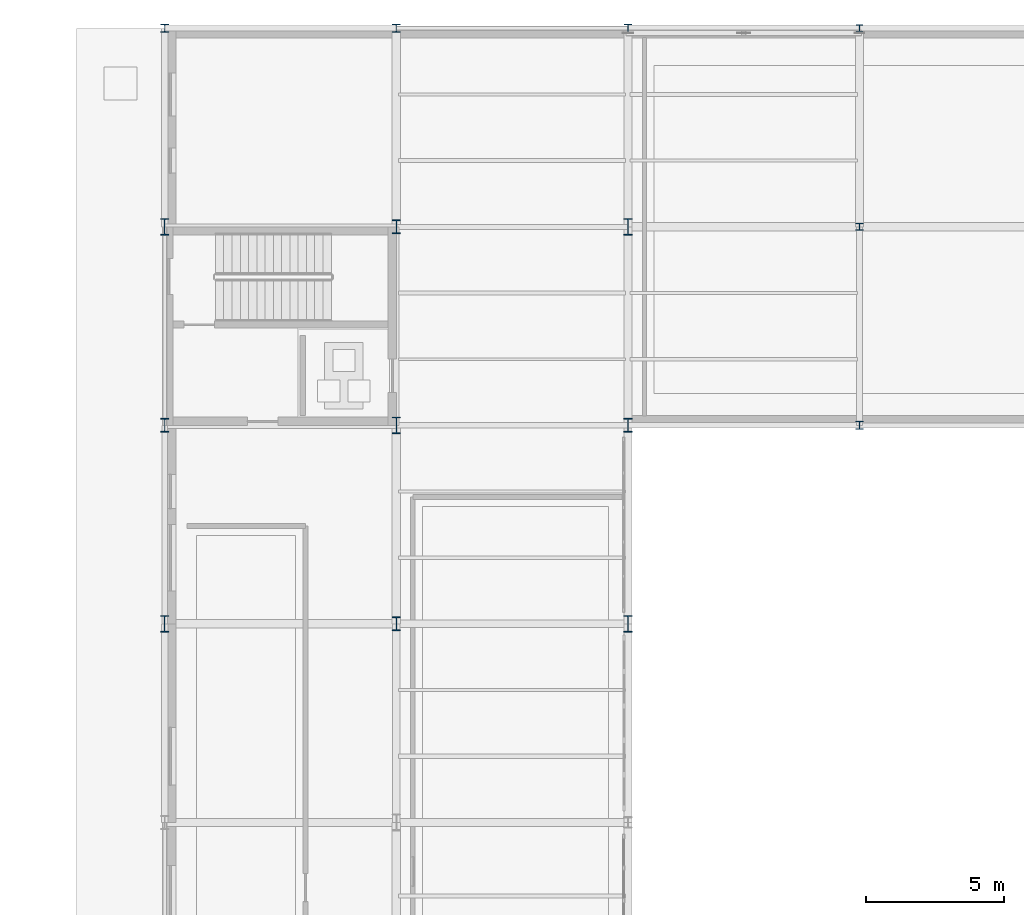
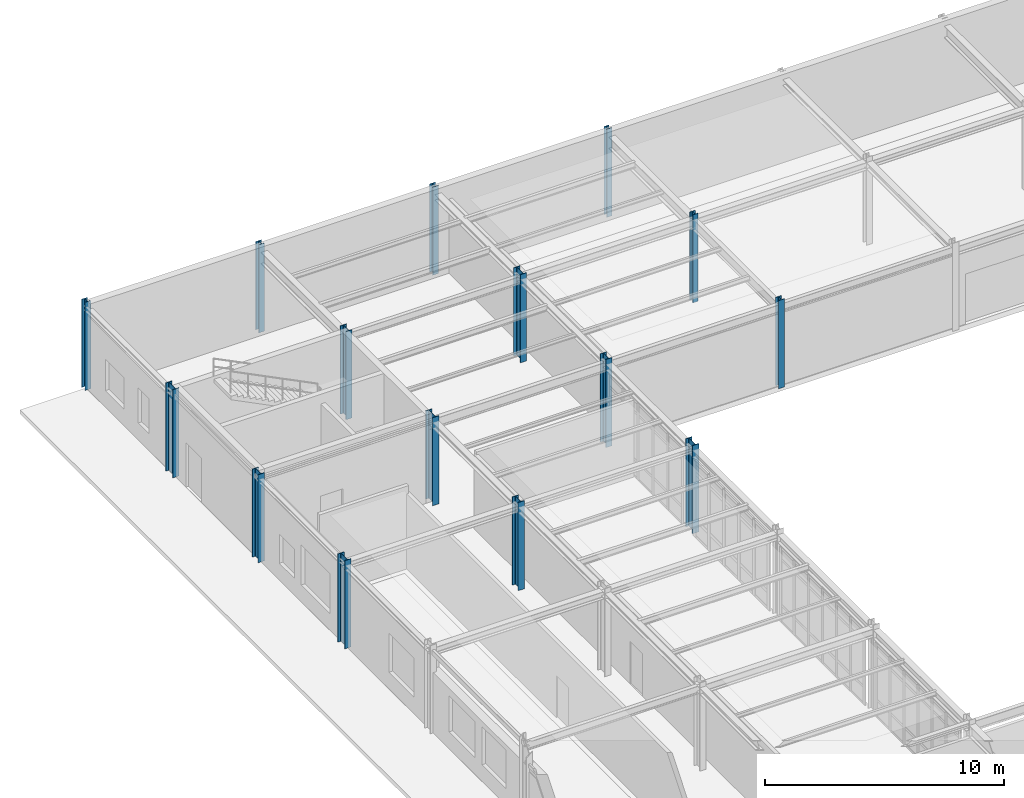
# One storey, part 13 of 101: 15 columns.
"""IFC4 building model written with IfcOpenShell, lengths in metres."""

from ifc_helpers import new_model, si_unit, derived_unit, direction, frame, origin, origin_2d, place, context, subcontext, project, spatial, i_section, extrude, material, material_profile, profile_set, type_object, element, save


model = new_model("IFC4")

# Units and contexts
model_context = context("Model", 3, precision=1e-05, world=origin(), true_north=direction((0.0, 1.0)))
body_context = subcontext(model_context, "Body", "Model", "MODEL_VIEW")
ifc_project = project(units=[si_unit("LENGTHUNIT", "METRE"), si_unit("AREAUNIT", "SQUARE_METRE"), si_unit("VOLUMEUNIT", "CUBIC_METRE"), si_unit("PLANEANGLEUNIT", "RADIAN"), si_unit("MASSUNIT", "GRAM", prefix="KILO"), derived_unit("THERMALTRANSMITTANCEUNIT", [(si_unit("POWERUNIT", "WATT"), 1), (si_unit("AREAUNIT", "SQUARE_METRE"), -1), (si_unit("THERMODYNAMICTEMPERATUREUNIT", "KELVIN"), -1)])], contexts=[model_context])

# Site, building, storey
site_placement = place(None, origin())
site = spatial("IfcSite", under=ifc_project, at=site_placement, CompositionType="ELEMENT")
building_placement = place(site_placement, origin())
building = spatial("IfcBuilding", under=site, at=building_placement, Name="Yasenodar Specialist Clinic", CompositionType="ELEMENT")
storey_placement = place(building_placement, origin())
storey = spatial("IfcBuildingStorey", under=building, at=storey_placement, Name="L00", CompositionType="ELEMENT", Elevation=0.0)

# Columns
ifc_material = material(Name="Steel S355", Category="steel")
ifc_material_profile_1 = material_profile(ifc_material, i_section(OverallWidth=0.239990234375, OverallDepth=0.239990234375, WebThickness=0.010009765625, FlangeThickness=0.01708984375, FilletRadius=0.02099609375, at=origin_2d()), Name="HEB 240")
ifc_profile_set_1 = profile_set([ifc_material_profile_1], Name="Steel S355")
column_type_1 = type_object("IfcColumnType", Name="COL-ST-HEB240", PredefinedType="COLUMN", material=ifc_profile_set_1)
column_1_placement = place(storey_placement, frame((25.199951171875, 111.60009765625, 0.0), z_axis=(0.0, 0.0, 1.0), x_axis=(1.0, 0.0, 0.0)))
element("IfcColumn", 1, at=column_1_placement, inside=storey, type_object=column_type_1, Name="L00 Column V4-057", PredefinedType="COLUMN", context=body_context, shape_type="SweptSolid", body=[
    extrude(i_section(OverallWidth=0.239990234375, OverallDepth=0.239990234375, WebThickness=0.010009765625, FlangeThickness=0.01708984375, FilletRadius=0.02099609375, at=origin_2d()), origin(), (0.0, 0.0, 1.0), 4.5),
])
ifc_material_profile_2 = material_profile(ifc_material, i_section(OverallWidth=0.260009765625, OverallDepth=0.260009765625, WebThickness=0.010009765625, FlangeThickness=0.017578125, FilletRadius=0.02392578125, at=origin_2d()), Name="HEB 260")
ifc_profile_set_2 = profile_set([ifc_material_profile_2], Name="Steel S355")
column_type_2 = type_object("IfcColumnType", Name="COL-ST-HEB260", PredefinedType="COLUMN", material=ifc_profile_set_2)
column_2_placement = place(storey_placement, frame((25.199951171875, 104.39990234375, 0.0), z_axis=(0.0, 0.0, 1.0), x_axis=(1.0, 0.0, 0.0)))
element("IfcColumn", 2, at=column_2_placement, inside=storey, type_object=column_type_2, Name="L00 Column V4-056", PredefinedType="COLUMN", context=body_context, shape_type="SweptSolid", body=[
    extrude(i_section(OverallWidth=0.260009765625, OverallDepth=0.260009765625, WebThickness=0.010009765625, FlangeThickness=0.017578125, FilletRadius=0.02392578125, at=origin_2d()), origin(), (0.0, 0.0, 1.0), 4.5),
])
ifc_material_profile_3 = material_profile(ifc_material, i_section(OverallWidth=0.280029296875, OverallDepth=0.280029296875, WebThickness=0.010498046875, FlangeThickness=0.01806640625, FilletRadius=0.02392578125, at=origin_2d()), Name="HEB 280")
ifc_profile_set_3 = profile_set([ifc_material_profile_3], Name="Steel S355")
column_type_3 = type_object("IfcColumnType", Name="COL-ST-HEB280", PredefinedType="COLUMN", material=ifc_profile_set_3)
for number, where, z_axis, x_axis, name in (
    (3, (0.0, 111.60009765625, 0.0), (0.0, 0.0, 1.0), (1.0, 0.0, 0.0), "L00 Column V4-015"),
    (4, (8.39990234375, 111.60009765625, 0.0), (0.0, 0.0, 1.0), (1.0, 0.0, 0.0), "L00 Column V4-030"),
    (5, (16.800048828125, 111.60009765625, 0.0), (0.0, 0.0, 1.0), (1.0, 0.0, 0.0), "L00 Column V4-045"),
    (6, (25.199951171875, 97.199951171875, 0.0), (0.0, 0.0, 1.0), (1.0, 0.0, 0.0), "L00 Column V4-055"),
):
    element("IfcColumn", number, at=place(storey_placement, frame(where, z_axis=z_axis, x_axis=x_axis)), inside=storey, type_object=column_type_3, Name=name, PredefinedType="COLUMN", context=body_context, shape_type="SweptSolid", body=[
        extrude(i_section(OverallWidth=0.280029296875, OverallDepth=0.280029296875, WebThickness=0.010498046875, FlangeThickness=0.01806640625, FilletRadius=0.02392578125, at=origin_2d()), origin(), (0.0, 0.0, 1.0), 4.5),
    ])
ifc_material_profile_4 = material_profile(ifc_material, i_section(OverallWidth=0.300048828125, OverallDepth=0.5, WebThickness=0.014404296875, FlangeThickness=0.028076171875, FilletRadius=0.027099609375, at=origin_2d()), Name="HEB 500")
ifc_profile_set_4 = profile_set([ifc_material_profile_4], Name="Steel S355")
column_type_4 = type_object("IfcColumnType", Name="COL-ST-HEB500", PredefinedType="COLUMN", material=ifc_profile_set_4)
for number, where, z_axis, x_axis, name in (
    (7, (0.0, 97.199951171875, 0.0), (0.0, 0.0, 1.0), (1.0, 0.0, 0.0), "L00 Column V4-013"),
    (8, (8.39990234375, 90.0, 0.0), (0.0, 0.0, 1.0), (1.0, 0.0, 0.0), "L00 Column V4-027"),
    (9, (8.39990234375, 104.39990234375, 0.0), (0.0, 0.0, 1.0), (1.0, 0.0, 0.0), "L00 Column V4-029"),
    (10, (16.800048828125, 97.199951171875, 0.0), (0.0, 0.0, 1.0), (1.0, 0.0, 0.0), "L00 Column V4-043"),
):
    element("IfcColumn", number, at=place(storey_placement, frame(where, z_axis=z_axis, x_axis=x_axis)), inside=storey, type_object=column_type_4, Name=name, PredefinedType="COLUMN", context=body_context, shape_type="SweptSolid", body=[
        extrude(i_section(OverallWidth=0.300048828125, OverallDepth=0.5, WebThickness=0.014404296875, FlangeThickness=0.028076171875, FilletRadius=0.027099609375, at=origin_2d()), origin(), (0.0, 0.0, 1.0), 4.5),
    ])
ifc_material_profile_5 = material_profile(ifc_material, i_section(OverallWidth=0.300048828125, OverallDepth=0.60009765625, WebThickness=0.015380859375, FlangeThickness=0.030029296875, FilletRadius=0.027099609375, at=origin_2d()), Name="HEB 600")
ifc_profile_set_5 = profile_set([ifc_material_profile_5], Name="Steel S355")
column_type_5 = type_object("IfcColumnType", Name="COL-ST-HEB600", PredefinedType="COLUMN", material=ifc_profile_set_5)
for number, where, z_axis, x_axis, name in (
    (11, (0.0, 90.0, 0.0), (0.0, 0.0, 1.0), (1.0, 0.0, 0.0), "L00 Column V4-012"),
    (12, (0.0, 104.39990234375, 0.0), (0.0, 0.0, 1.0), (1.0, 0.0, 0.0), "L00 Column V4-014"),
    (13, (8.39990234375, 97.199951171875, 0.0), (0.0, 0.0, 1.0), (1.0, 0.0, 0.0), "L00 Column V4-028"),
    (14, (16.800048828125, 90.0, 0.0), (0.0, 0.0, 1.0), (1.0, 0.0, 0.0), "L00 Column V4-042"),
    (15, (16.800048828125, 104.39990234375, 0.0), (0.0, 0.0, 1.0), (1.0, 0.0, 0.0), "L00 Column V4-044"),
):
    element("IfcColumn", number, at=place(storey_placement, frame(where, z_axis=z_axis, x_axis=x_axis)), inside=storey, type_object=column_type_5, Name=name, PredefinedType="COLUMN", context=body_context, shape_type="SweptSolid", body=[
        extrude(i_section(OverallWidth=0.300048828125, OverallDepth=0.60009765625, WebThickness=0.015380859375, FlangeThickness=0.030029296875, FilletRadius=0.027099609375, at=origin_2d()), origin(), (0.0, 0.0, 1.0), 4.5),
    ])

save(model, "model.ifc")
